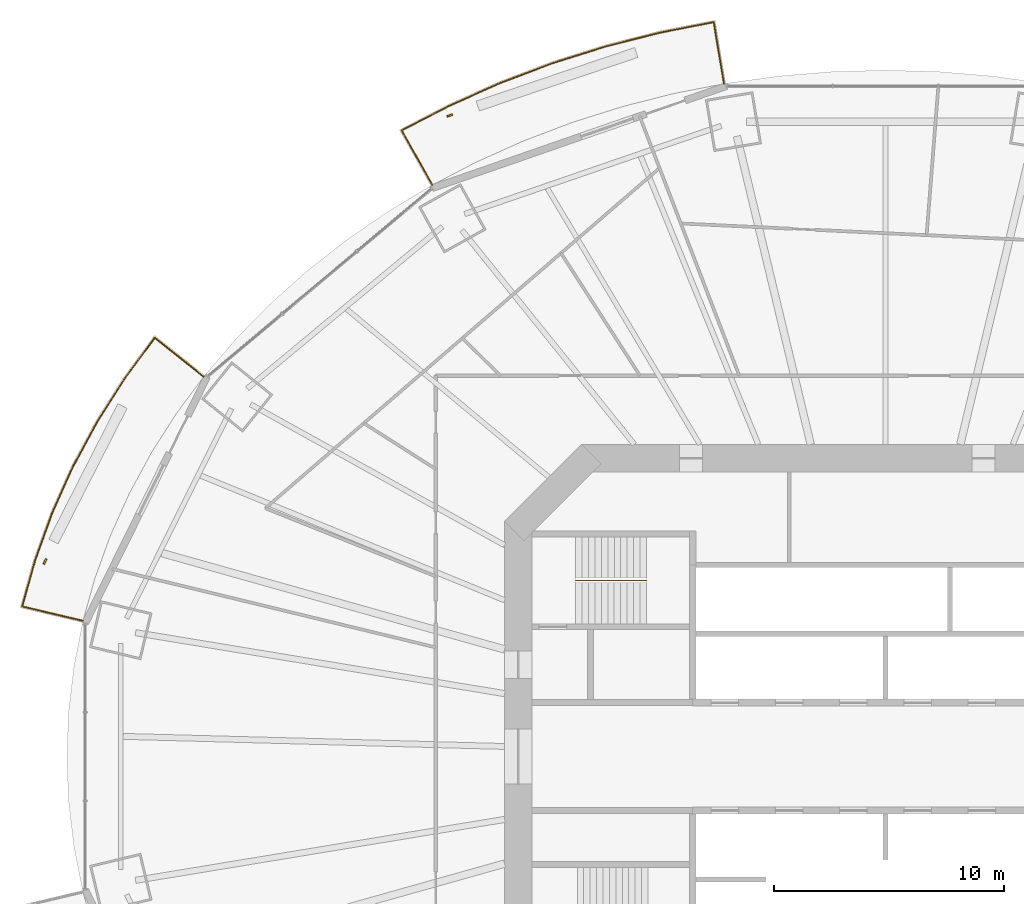
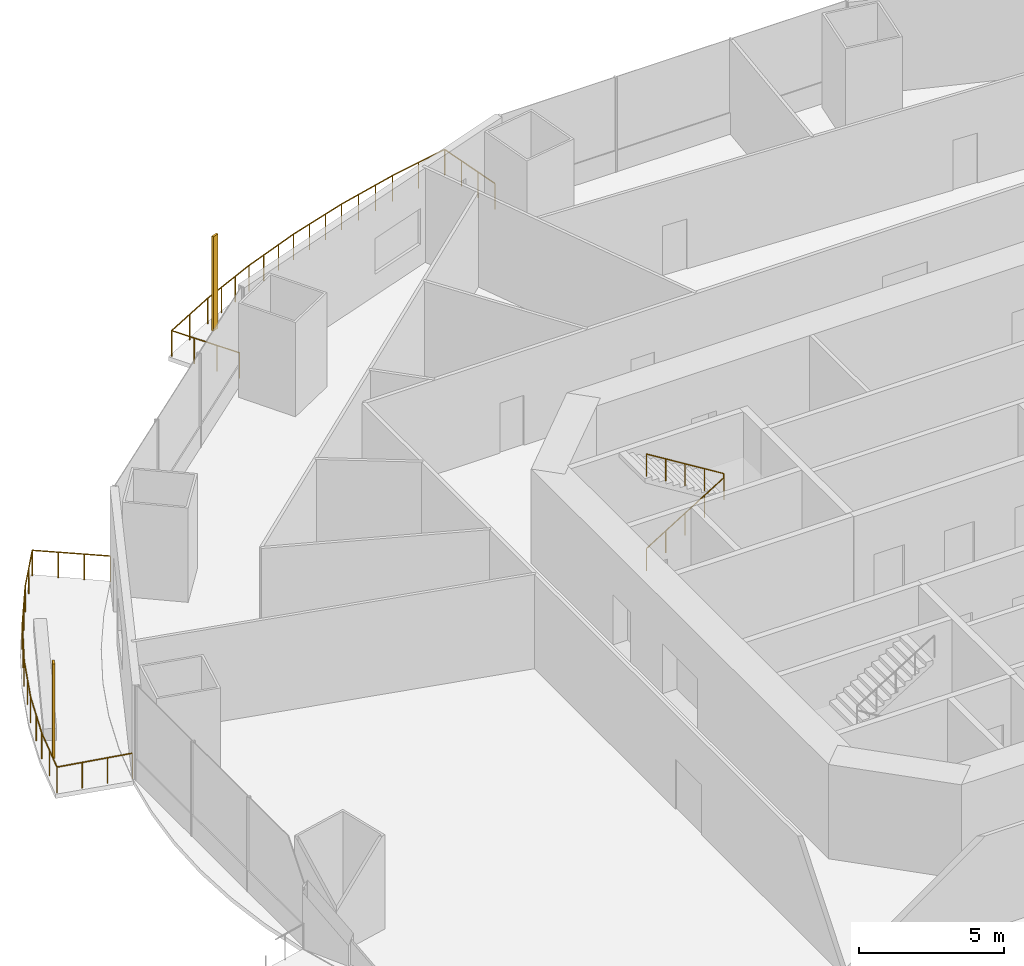
# One storey, part 19 of 22: 3 railings, 2 shading devices.
"""IFC4 building model written with IfcOpenShell, lengths in metres."""

from ifc_helpers import new_model, si_unit, direction, frame, origin, origin_2d, place, context, subcontext, project, spatial, rectangle, circle, extrude, material, material_profile, profile_set, type_object, element, save


model = new_model("IFC4")

# Units and contexts
model_context = context("Model", 3, precision=1e-05, world=origin(), true_north=direction((0.0, 1.0)))
body_context = subcontext(model_context, "Body", "Model", "MODEL_VIEW")
ifc_project = project(units=[si_unit("LENGTHUNIT", "METRE"), si_unit("AREAUNIT", "SQUARE_METRE"), si_unit("VOLUMEUNIT", "CUBIC_METRE"), si_unit("PLANEANGLEUNIT", "RADIAN"), si_unit("MASSUNIT", "GRAM", prefix="KILO")], contexts=[model_context])

# Site, building, storey
site_placement = place(None, origin())
site = spatial("IfcSite", under=ifc_project, at=site_placement, CompositionType="ELEMENT")
building_placement = place(site_placement, origin())
building = spatial("IfcBuilding", under=site, at=building_placement, Name="Marenthal Gate Tower", CompositionType="ELEMENT")
storey_placement = place(building_placement, frame((0.0, 0.0, 74.5)))
storey = spatial("IfcBuildingStorey", under=building, at=storey_placement, Name="L14", CompositionType="ELEMENT", Elevation=74.5)

# Railings
ifc_material_1 = material(Name="Stainless steel", Category="steel")
railing_type_1 = type_object("IfcRailingType", Name="Balcony guard 1100", PredefinedType="GUARDRAIL", material=ifc_material_1)
railing_1_placement = place(storey_placement, frame((-19.7490234375, 24.9033203125, 0.0)))
element("IfcRailing", 1, at=railing_1_placement, inside=storey, type_object=railing_type_1, Name="Balcony guard L14 bay 5", PredefinedType="GUARDRAIL", context=body_context, shape_type="SweptSolid", body=[
    extrude(circle(Radius=0.02392578125, at=origin_2d()), frame((0.0, 0.0, 1.076171875), z_axis=(-0.488916588254, 0.872206373208, -0.014717753391), x_axis=(-0.872300853857, -0.488969549523, 0.0)), (0.0, 0.0, 1.0), 2.720458984375),
    extrude(circle(Radius=0.02392578125, at=origin_2d()), frame((-1.330078125, 2.372802734375, 1.0361328125), z_axis=(0.887259903965, 0.461269837314, 0.0), x_axis=(-0.461269837314, 0.887259903965, 0.0)), (0.0, 0.0, 1.0), 2.318359375),
    extrude(circle(Radius=0.02392578125, at=origin_2d()), frame((0.726806640625, 3.442138671875, 1.0361328125), z_axis=(0.91254444095, 0.408977558419, 0.0), x_axis=(-0.408977558419, 0.91254444095, 0.0)), (0.0, 0.0, 1.0), 2.415771484375),
    extrude(circle(Radius=0.02392578125, at=origin_2d()), frame((2.931396484375, 4.43017578125, 1.0361328125), z_axis=(0.934822913626, 0.355114235366, 0.0), x_axis=(-0.355114235366, 0.934822913626, 0.0)), (0.0, 0.0, 1.0), 2.431640625),
    extrude(circle(Radius=0.02392578125, at=origin_2d()), frame((5.20458984375, 5.293701171875, 1.0361328125), z_axis=(0.953650519342, 0.300916411912, 0.0), x_axis=(-0.300916411912, 0.953650519342, 0.0)), (0.0, 0.0, 1.0), 2.446044921875),
    extrude(circle(Radius=0.02392578125, at=origin_2d()), frame((7.537353515625, 6.02978515625, 1.0361328125), z_axis=(0.969164913017, 0.246413009756, 0.0), x_axis=(-0.246413009756, 0.969164913017, 0.0)), (0.0, 0.0, 1.0), 2.4580078125),
    extrude(circle(Radius=0.02392578125, at=origin_2d()), frame((9.919677734375, 6.635498046875, 1.0361328125), z_axis=(0.981255035118, 0.192713663388, 0.0), x_axis=(-0.192713663388, 0.981255035118, 0.0)), (0.0, 0.0, 1.0), 2.387939453125),
    extrude(circle(Radius=0.02392578125, at=origin_2d()), frame((12.262939453125, 7.095703125, 1.0361328125), z_axis=(0.164599482451, -0.986250661205, 0.014718819587), x_axis=(0.986357511038, 0.164617315064, 0.0)), (0.0, 0.0, 1.0), 2.72021484375),
    extrude(circle(Radius=0.02099609375, at=origin_2d()), origin(), (0.0, 0.0, 1.0), 1.052001953125),
    extrude(circle(Radius=0.02099609375, at=origin_2d()), frame((-0.443359375, 0.791015625, -0.013427734375)), (0.0, 0.0, 1.0), 1.052001953125),
    extrude(circle(Radius=0.02099609375, at=origin_2d()), frame((-0.88671875, 1.581787109375, -0.026611328125)), (0.0, 0.0, 1.0), 1.052001953125),
    extrude(circle(Radius=0.02099609375, at=origin_2d()), frame((-1.330078125, 2.372802734375, -0.0400390625)), (0.0, 0.0, 1.0), 1.052001953125),
    extrude(circle(Radius=0.02099609375, at=origin_2d()), frame((-0.3017578125, 2.907470703125, -0.0400390625)), (0.0, 0.0, 1.0), 1.052001953125),
    extrude(circle(Radius=0.02099609375, at=origin_2d()), frame((0.726806640625, 3.442138671875, -0.0400390625)), (0.0, 0.0, 1.0), 1.052001953125),
    extrude(circle(Radius=0.02099609375, at=origin_2d()), frame((1.461669921875, 3.771484375, -0.0400390625)), (0.0, 0.0, 1.0), 1.052001953125),
    extrude(circle(Radius=0.02099609375, at=origin_2d()), frame((2.196533203125, 4.100830078125, -0.0400390625)), (0.0, 0.0, 1.0), 1.052001953125),
    extrude(circle(Radius=0.02099609375, at=origin_2d()), frame((2.931396484375, 4.43017578125, -0.0400390625)), (0.0, 0.0, 1.0), 1.052001953125),
    extrude(circle(Radius=0.02099609375, at=origin_2d()), frame((3.689208984375, 4.718017578125, -0.0400390625)), (0.0, 0.0, 1.0), 1.052001953125),
    extrude(circle(Radius=0.02099609375, at=origin_2d()), frame((4.44677734375, 5.005859375, -0.0400390625)), (0.0, 0.0, 1.0), 1.052001953125),
    extrude(circle(Radius=0.02099609375, at=origin_2d()), frame((5.20458984375, 5.293701171875, -0.0400390625)), (0.0, 0.0, 1.0), 1.052001953125),
    extrude(circle(Radius=0.02099609375, at=origin_2d()), frame((5.982177734375, 5.5390625, -0.0400390625)), (0.0, 0.0, 1.0), 1.052001953125),
    extrude(circle(Radius=0.02099609375, at=origin_2d()), frame((6.759765625, 5.784423828125, -0.0400390625)), (0.0, 0.0, 1.0), 1.052001953125),
    extrude(circle(Radius=0.02099609375, at=origin_2d()), frame((7.537353515625, 6.02978515625, -0.0400390625)), (0.0, 0.0, 1.0), 1.052001953125),
    extrude(circle(Radius=0.02099609375, at=origin_2d()), frame((8.33154296875, 6.231689453125, -0.0400390625)), (0.0, 0.0, 1.0), 1.052001953125),
    extrude(circle(Radius=0.02099609375, at=origin_2d()), frame((9.12548828125, 6.43359375, -0.0400390625)), (0.0, 0.0, 1.0), 1.052001953125),
    extrude(circle(Radius=0.02099609375, at=origin_2d()), frame((9.919677734375, 6.635498046875, -0.0400390625)), (0.0, 0.0, 1.0), 1.052001953125),
    extrude(circle(Radius=0.02099609375, at=origin_2d()), frame((11.09130859375, 6.86572265625, -0.0400390625)), (0.0, 0.0, 1.0), 1.052001953125),
    extrude(circle(Radius=0.02099609375, at=origin_2d()), frame((12.262939453125, 7.095703125, -0.0400390625)), (0.0, 0.0, 1.0), 1.052001953125),
    extrude(circle(Radius=0.02099609375, at=origin_2d()), frame((12.412109375, 6.201416015625, -0.026611328125)), (0.0, 0.0, 1.0), 1.052001953125),
    extrude(circle(Radius=0.02099609375, at=origin_2d()), frame((12.5615234375, 5.30712890625, -0.013427734375)), (0.0, 0.0, 1.0), 1.052001953125),
    extrude(circle(Radius=0.02099609375, at=origin_2d()), frame((12.710693359375, 4.412841796875, 0.0)), (0.0, 0.0, 1.0), 1.052001953125),
])
railing_2_placement = place(storey_placement, frame((-34.96923828125, 5.911865234375, 0.0)))
element("IfcRailing", 2, at=railing_2_placement, inside=storey, type_object=railing_type_1, Name="Balcony guard L14 bay 7", PredefinedType="GUARDRAIL", context=body_context, shape_type="SweptSolid", body=[
    extrude(circle(Radius=0.02392578125, at=origin_2d()), frame((0.0, 0.0, 1.076171875), z_axis=(-0.972921871805, 0.230665056323, -0.014719482193), x_axis=(-0.230690048693, -0.973027287096, 0.0)), (0.0, 0.0, 1.0), 2.72021484375),
    extrude(circle(Radius=0.02392578125, at=origin_2d()), frame((-2.646484375, 0.62744140625, 1.0361328125), z_axis=(0.26934176956, 0.963044656893, 0.0), x_axis=(-0.963044656893, 0.26934176956, 0.0)), (0.0, 0.0, 1.0), 2.105712890625),
    extrude(circle(Radius=0.02392578125, at=origin_2d()), frame((-2.079345703125, 2.6552734375, 1.0361328125), z_axis=(0.340269936614, 0.940327799353, 0.0), x_axis=(-0.940327799353, 0.340269936614, 0.0)), (0.0, 0.0, 1.0), 2.1962890625),
    extrude(circle(Radius=0.02392578125, at=origin_2d()), frame((-1.33203125, 4.720458984375, 1.0361328125), z_axis=(0.409519083019, 0.912301551376, 0.0), x_axis=(-0.912301551376, 0.409519083019, 0.0)), (0.0, 0.0, 1.0), 2.20947265625),
    extrude(circle(Radius=0.02392578125, at=origin_2d()), frame((-0.42724609375, 6.736083984375, 1.0361328125), z_axis=(0.475441262736, 0.879747466997, 0.0), x_axis=(-0.879747466997, 0.475441262736, 0.0)), (0.0, 0.0, 1.0), 2.223876953125),
    extrude(circle(Radius=0.02392578125, at=origin_2d()), frame((0.630126953125, 8.692626953125, 1.0361328125), z_axis=(0.53758735843, 0.843208059767, 0.0), x_axis=(-0.843208059767, 0.53758735843, 0.0)), (0.0, 0.0, 1.0), 2.24072265625),
    extrude(circle(Radius=0.02392578125, at=origin_2d()), frame((1.834716796875, 10.58203125, 1.0361328125), z_axis=(0.594680833833, 0.803961880857, 0.0), x_axis=(-0.803961880857, 0.594680833833, 0.0)), (0.0, 0.0, 1.0), 2.17919921875),
    extrude(circle(Radius=0.02392578125, at=origin_2d()), frame((3.130615234375, 12.333984375, 1.0361328125), z_axis=(0.782139521654, -0.622929480184, 0.014718402932), x_axis=(0.622996964186, 0.782224253405, 0.0)), (0.0, 0.0, 1.0), 2.720458984375),
    extrude(circle(Radius=0.02099609375, at=origin_2d()), origin(), (0.0, 0.0, 1.0), 1.052001953125),
    extrude(circle(Radius=0.02099609375, at=origin_2d()), frame((-0.882080078125, 0.209228515625, -0.013427734375)), (0.0, 0.0, 1.0), 1.052001953125),
    extrude(circle(Radius=0.02099609375, at=origin_2d()), frame((-1.764404296875, 0.418212890625, -0.026611328125)), (0.0, 0.0, 1.0), 1.052001953125),
    extrude(circle(Radius=0.02099609375, at=origin_2d()), frame((-2.646484375, 0.62744140625, -0.0400390625)), (0.0, 0.0, 1.0), 1.052001953125),
    extrude(circle(Radius=0.02099609375, at=origin_2d()), frame((-2.36279296875, 1.641357421875, -0.0400390625)), (0.0, 0.0, 1.0), 1.052001953125),
    extrude(circle(Radius=0.02099609375, at=origin_2d()), frame((-2.079345703125, 2.6552734375, -0.0400390625)), (0.0, 0.0, 1.0), 1.052001953125),
    extrude(circle(Radius=0.02099609375, at=origin_2d()), frame((-1.70556640625, 3.68798828125, -0.0400390625)), (0.0, 0.0, 1.0), 1.052001953125),
    extrude(circle(Radius=0.02099609375, at=origin_2d()), frame((-1.33203125, 4.720458984375, -0.0400390625)), (0.0, 0.0, 1.0), 1.052001953125),
    extrude(circle(Radius=0.02099609375, at=origin_2d()), frame((-0.879638671875, 5.728271484375, -0.0400390625)), (0.0, 0.0, 1.0), 1.052001953125),
    extrude(circle(Radius=0.02099609375, at=origin_2d()), frame((-0.42724609375, 6.736083984375, -0.0400390625)), (0.0, 0.0, 1.0), 1.052001953125),
    extrude(circle(Radius=0.02099609375, at=origin_2d()), frame((0.1015625, 7.71435546875, -0.0400390625)), (0.0, 0.0, 1.0), 1.052001953125),
    extrude(circle(Radius=0.02099609375, at=origin_2d()), frame((0.630126953125, 8.692626953125, -0.0400390625)), (0.0, 0.0, 1.0), 1.052001953125),
    extrude(circle(Radius=0.02099609375, at=origin_2d()), frame((1.232421875, 9.63720703125, -0.0400390625)), (0.0, 0.0, 1.0), 1.052001953125),
    extrude(circle(Radius=0.02099609375, at=origin_2d()), frame((1.834716796875, 10.58203125, -0.0400390625)), (0.0, 0.0, 1.0), 1.052001953125),
    extrude(circle(Radius=0.02099609375, at=origin_2d()), frame((2.482666015625, 11.4580078125, -0.0400390625)), (0.0, 0.0, 1.0), 1.052001953125),
    extrude(circle(Radius=0.02099609375, at=origin_2d()), frame((3.130615234375, 12.333984375, -0.0400390625)), (0.0, 0.0, 1.0), 1.052001953125),
    extrude(circle(Radius=0.02099609375, at=origin_2d()), frame((3.83984375, 11.76904296875, -0.026611328125)), (0.0, 0.0, 1.0), 1.052001953125),
    extrude(circle(Radius=0.02099609375, at=origin_2d()), frame((4.549072265625, 11.204345703125, -0.013427734375)), (0.0, 0.0, 1.0), 1.052001953125),
    extrude(circle(Radius=0.02099609375, at=origin_2d()), frame((5.25830078125, 10.639404296875, 0.0)), (0.0, 0.0, 1.0), 1.052001953125),
])
ifc_material_2 = material(Name="Stainless steel", Category="steel")
railing_type_2 = type_object("IfcRailingType", Name="Stair handrail", PredefinedType="HANDRAIL", material=ifc_material_2)
railing_3_placement = place(storey_placement, frame((-13.5, 7.675048828125, 0.1728515625)))
element("IfcRailing", 3, at=railing_3_placement, inside=storey, type_object=railing_type_2, Name="Handrail ST1", PredefinedType="HANDRAIL", context=body_context, shape_type="SweptSolid", body=[
    extrude(circle(Radius=0.0224609375, at=origin_2d()), frame((0.0, 0.0, 0.927490234375), z_axis=(0.850835241893, 0.0, 0.525432575268), x_axis=(0.0, 1.0, 0.0)), (0.0, 0.0, 1.0), 3.6201171875),
    extrude(circle(Radius=0.0224609375, at=origin_2d()), frame((3.080078125, 0.0, 2.82958984375), z_axis=(0.0, 0.0, 1.0), x_axis=(1.0, 0.0, 0.0)), (0.0, 0.0, 1.0), 0.1728515625),
    extrude(circle(Radius=0.0224609375, at=origin_2d()), frame((3.080078125, 0.0, 3.00244140625), z_axis=(-0.850835241893, 0.0, 0.525432575268), x_axis=(0.0, -1.0, 0.0)), (0.0, 0.0, 1.0), 3.6201171875),
    extrude(circle(Radius=0.02001953125, at=origin_2d()), origin(), (0.0, 0.0, 1.0), 0.905029296875),
    extrude(circle(Radius=0.02001953125, at=origin_2d()), frame((0.77001953125, 0.0, 0.4755859375)), (0.0, 0.0, 1.0), 0.905029296875),
    extrude(circle(Radius=0.02001953125, at=origin_2d()), frame((1.5400390625, 0.0, 0.951171875)), (0.0, 0.0, 1.0), 0.905029296875),
    extrude(circle(Radius=0.02001953125, at=origin_2d()), frame((2.31005859375, 0.0, 1.426513671875)), (0.0, 0.0, 1.0), 0.905029296875),
    extrude(circle(Radius=0.02001953125, at=origin_2d()), frame((3.080078125, 0.0, 1.902099609375)), (0.0, 0.0, 1.0), 0.905029296875),
    extrude(circle(Radius=0.02001953125, at=origin_2d()), frame((3.080078125, 0.0, 2.074951171875)), (0.0, 0.0, 1.0), 0.905029296875),
    extrude(circle(Radius=0.02001953125, at=origin_2d()), frame((2.31005859375, 0.0, 2.550537109375)), (0.0, 0.0, 1.0), 0.905029296875),
    extrude(circle(Radius=0.02001953125, at=origin_2d()), frame((1.5400390625, 0.0, 3.02587890625)), (0.0, 0.0, 1.0), 0.905029296875),
    extrude(circle(Radius=0.02001953125, at=origin_2d()), frame((0.77001953125, 0.0, 3.50146484375)), (0.0, 0.0, 1.0), 0.905029296875),
    extrude(circle(Radius=0.02001953125, at=origin_2d()), frame((0.0, 0.0, 3.97705078125)), (0.0, 0.0, 1.0), 0.905029296875),
])

# Shading devices
ifc_material_3 = material(Name="Terracotta", Category="masonry")
ifc_material_profile = material_profile(ifc_material_3, rectangle(XDim=0.25, YDim=0.080078125, at=origin_2d()), Name="Terracotta baguette 250x80")
ifc_profile_set = profile_set([ifc_material_profile], Name="Terracotta")
shading_device_type = type_object("IfcShadingDeviceType", Name="Terracotta BAGUETTE SCREEN 250x80", PredefinedType="USERDEFINED", material=ifc_profile_set)
for number, where, z_axis, x_axis, name in (
    (4, (-18.984375, 27.93017578125, -0.0400390625), (0.0, 0.0, 1.0), (-0.944656596613, -0.328060839595, 0.0), "Terracotta BAGUETTE L14 bay 5R"),
    (5, (-36.624755859375, 8.495361328125, -0.0400390625), (0.0, 0.0, 1.0), (-0.44293870584, -0.896551896361, 0.0), "Terracotta BAGUETTE L14 bay 7R"),
):
    element("IfcShadingDevice", number, at=place(storey_placement, frame(where, z_axis=z_axis, x_axis=x_axis)), inside=storey, type_object=shading_device_type, Name=name, ObjectType="BAGUETTE SCREEN", PredefinedType="USERDEFINED", context=body_context, shape_type="SweptSolid", body=[
        extrude(rectangle(XDim=0.25, YDim=0.080078125, at=origin_2d()), origin(), (0.0, 0.0, 1.0), 3.969970703125),
    ])

save(model, "model.ifc")
